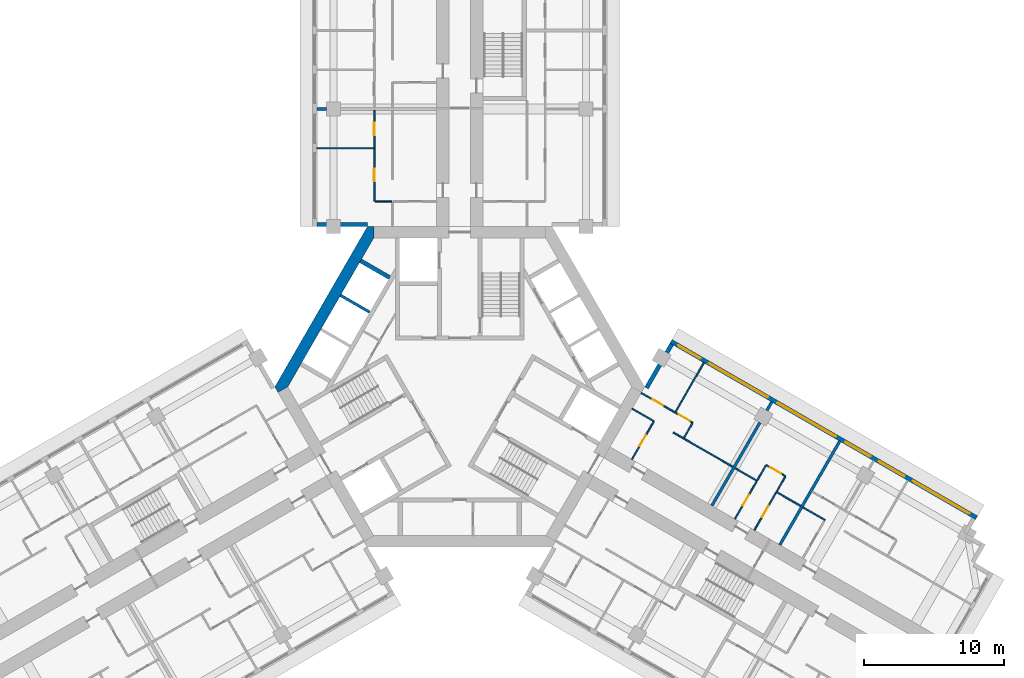
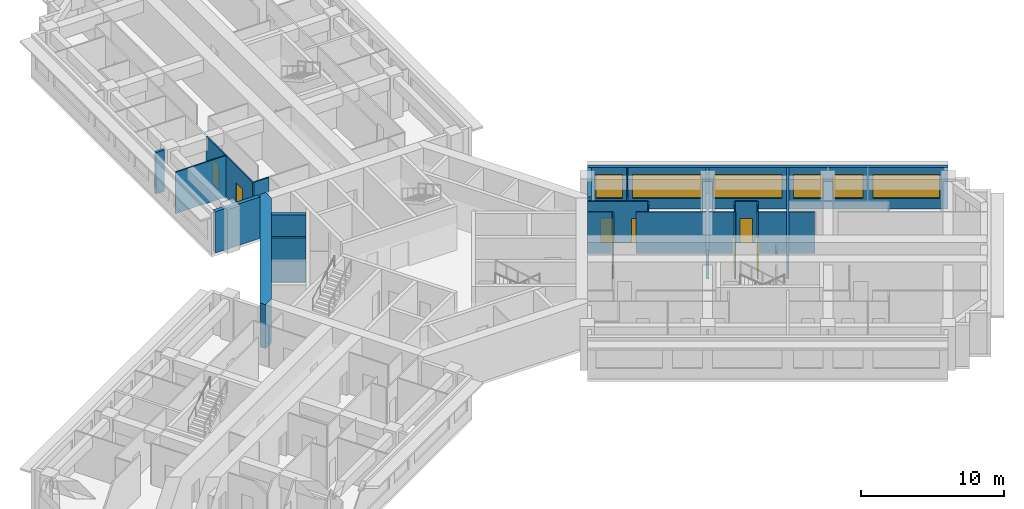
# One storey, part 7 of 12: 27 walls, 8 doors, 6 windows, 14 openings.
"""IFC4 building model written with IfcOpenShell, lengths in metres."""

import ifcopenshell
import ifcopenshell.guid

model = None  # the IFC model being written
_history = None  # IfcOwnerHistory: only IFC2X3 demands one
_inside = {}  # id of a spatial element -> (the spatial element, [elements in it])
_under = {}  # id of a project, library or spatial element -> (it, [spatial elements below it])
_declared = {}  # id of a project -> (the project, [libraries it declares])
_typed = {}  # id of a type object -> (the type object, [elements of that type])
_made_of = {}  # id of a material, layer set ... -> (it, [elements and type objects made of it])


def new_model(schema):
    """Start an empty IFC model of exactly this schema.

    Asked for "IFC4X3", IfcOpenShell would pick the latest addendum, in which some entities
    have other attributes; the version numbers below select the first issue.
    IFC2X3 requires an IfcOwnerHistory on every rooted entity: one is made here for all.
    """
    global model, _history
    if schema == "IFC4X3":
        model = ifcopenshell.file(schema_version=(4, 3, 0, 0))
    else:
        model = ifcopenshell.file(schema=schema)
    _inside.clear()
    _under.clear()
    _declared.clear()
    _typed.clear()
    _made_of.clear()
    _history = None
    if model.schema == "IFC2X3":
        org = make("IfcOrganization", Name="unknown")
        user = make(
            "IfcPersonAndOrganization",
            ThePerson=make("IfcPerson", FamilyName="unknown"),
            TheOrganization=org,
        )
        app = make(
            "IfcApplication",
            ApplicationDeveloper=org,
            Version="unknown",
            ApplicationFullName="unknown",
            ApplicationIdentifier="unknown",
        )
        _history = make(
            "IfcOwnerHistory",
            OwningUser=user,
            OwningApplication=app,
            ChangeAction="ADDED",
            CreationDate=0,
        )
    return model


def make(cls, **values):
    """One entity of the class cls with the attributes given. An attribute that is None is left unset."""
    return model.create_entity(
        cls, **{name: value for name, value in values.items() if value is not None}
    )


def rooted(cls, **values):
    """An entity with a GlobalId (a new one), such as an element, a storey or a relation."""
    return make(cls, GlobalId=ifcopenshell.guid.new(), OwnerHistory=_history, **values)


def si_unit(unit_type, name, prefix=None):
    """IfcSIUnit, for example si_unit("LENGTHUNIT", "METRE", prefix="MILLI")."""
    return make("IfcSIUnit", UnitType=unit_type, Prefix=prefix, Name=name)


def assignment(units):
    """IfcUnitAssignment: the units of a project."""
    return None if units is None else make("IfcUnitAssignment", Units=units)


def point(xyz):
    """IfcCartesianPoint."""
    return None if xyz is None else make("IfcCartesianPoint", Coordinates=xyz)


def direction(xyz):
    """IfcDirection."""
    return None if xyz is None else make("IfcDirection", DirectionRatios=xyz)


def frame(location, z_axis=None, x_axis=None):
    """IfcAxis2Placement3D, a coordinate frame: its origin and axes. An axis left out is left unset."""
    return make(
        "IfcAxis2Placement3D",
        Location=point(location),
        Axis=direction(z_axis),
        RefDirection=direction(x_axis),
    )


def frame_2d(location, x_axis=None):
    """IfcAxis2Placement2D, a coordinate frame in the plane: its origin and x axis."""
    return make(
        "IfcAxis2Placement2D", Location=point(location), RefDirection=direction(x_axis)
    )


def origin():
    """The frame at (0, 0, 0) with its axes left unset."""
    return frame((0.0, 0.0, 0.0))


def place(relative_to, where):
    """IfcLocalPlacement: puts the frame where relative to a parent placement (None: the world)."""
    return make(
        "IfcLocalPlacement", PlacementRelTo=relative_to, RelativePlacement=where
    )


def context(
    kind, dimensions, precision=None, world=None, true_north=None, identifier=None
):
    """IfcGeometricRepresentationContext, for example the 3D "Model" context."""
    return make(
        "IfcGeometricRepresentationContext",
        ContextIdentifier=identifier,
        ContextType=kind,
        CoordinateSpaceDimension=dimensions,
        Precision=precision,
        WorldCoordinateSystem=world,
        TrueNorth=true_north,
    )


def subcontext(parent, identifier, kind, view, scale=None):
    """IfcGeometricRepresentationSubContext, for example "Body" below "Model"."""
    return make(
        "IfcGeometricRepresentationSubContext",
        ContextIdentifier=identifier,
        ContextType=kind,
        ParentContext=parent,
        TargetScale=scale,
        TargetView=view,
    )


def project(units=None, contexts=None):
    """IfcProject with its units and contexts."""
    return rooted(
        "IfcProject",
        Name="project",
        RepresentationContexts=contexts,
        UnitsInContext=assignment(units),
    )


def spatial(cls, under=None, at=None, **own):
    """A site, building, storey or space (cls), placed at a placement, below another one or the project."""
    s = rooted(cls, ObjectPlacement=at, **own)
    if under is not None:
        _under.setdefault(under.id(), (under, []))[1].append(s)
    return s


def polyline(points):
    """IfcPolyline through the points."""
    return make("IfcPolyline", Points=[point(p) for p in points])


def profile(cls, at=None, kind="AREA", **sizes):
    """A parametric profile (cls). Its sizes go by their IFC names, for example OverallWidth=200.0."""
    return make(cls, ProfileType=kind, Position=at, **sizes)


def rectangle(**sizes):
    """IfcRectangleProfileDef."""
    return profile("IfcRectangleProfileDef", **sizes)


def outline(outer, holes=None, kind="AREA"):
    """IfcArbitraryClosedProfileDef: a profile drawn as a closed curve; with holes, ...WithVoids."""
    if holes is None:
        return make("IfcArbitraryClosedProfileDef", ProfileType=kind, OuterCurve=outer)
    return make(
        "IfcArbitraryProfileDefWithVoids",
        ProfileType=kind,
        OuterCurve=outer,
        InnerCurves=holes,
    )


def extrude(swept, where, along, depth):
    """IfcExtrudedAreaSolid: the profile swept, set in the frame where, extruded along a direction by depth."""
    return make(
        "IfcExtrudedAreaSolid",
        SweptArea=swept,
        Position=where,
        ExtrudedDirection=direction(along),
        Depth=depth,
    )


def shape(context_of_items, identifier, shape_type, items):
    """IfcShapeRepresentation: the items that make up one representation, for example the "Body"."""
    return make(
        "IfcShapeRepresentation",
        ContextOfItems=context_of_items,
        RepresentationIdentifier=identifier,
        RepresentationType=shape_type,
        Items=items,
    )


def material(Name=None, Category=None):
    """IfcMaterial."""
    return make("IfcMaterial", Name=Name, Category=Category)


def layer(
    of_material, thickness, ventilated=None, Name=None, Category=None, Priority=None
):
    """IfcMaterialLayer: one layer of a wall or slab, of a material (None: an air gap)."""
    return make(
        "IfcMaterialLayer",
        Material=of_material,
        LayerThickness=thickness,
        IsVentilated=ventilated,
        Name=Name,
        Category=Category,
        Priority=Priority,
    )


def layer_set(layers, Name=None):
    """IfcMaterialLayerSet."""
    return make("IfcMaterialLayerSet", MaterialLayers=layers, LayerSetName=Name)


def made_of(thing, what):
    """Note that an element or type object is made of a material, layer set ...; save() writes the relation."""
    if what is not None:
        _made_of.setdefault(what.id(), (what, []))[1].append(thing)
    return thing


def type_object(cls, material=None, **own):
    """A type object (cls), such as IfcWallType, which elements share."""
    return made_of(rooted(cls, **own), material)


def element(
    cls,
    number,
    at=None,
    inside=None,
    cuts=None,
    type_object=None,
    material=None,
    context=None,
    identifier="Body",
    shape_type=None,
    held_by="IfcProductDefinitionShape",
    body=None,
    shapes=None,
    **own,
):
    """One element of the class cls, such as IfcWall. Its Tag is "e" and its number.

    at: its placement. inside: the storey or other place that contains it. cuts: it is an
    opening in that element (IfcRelVoidsElement). A single representation is given by context,
    identifier, shape_type and body (its items); several are given by shapes. held_by: the class
    of the entity that holds the representations. save() writes the other relations.
    """
    e = rooted(cls, Tag="e%d" % number, ObjectPlacement=at, **own)
    if body is not None:
        shapes = [shape(context, identifier, shape_type, body)]
    if shapes is not None:
        e.Representation = make(held_by, Representations=shapes)
    if inside is not None:
        _inside.setdefault(inside.id(), (inside, []))[1].append(e)
    if cuts is not None:
        rooted(
            "IfcRelVoidsElement", RelatingBuildingElement=cuts, RelatedOpeningElement=e
        )
    if type_object is not None:
        _typed.setdefault(type_object.id(), (type_object, []))[1].append(e)
    return made_of(e, material)


def fill(opening, filler):
    """IfcRelFillsElement: the door or window that sits in an opening."""
    return rooted(
        "IfcRelFillsElement",
        RelatingOpeningElement=opening,
        RelatedBuildingElement=filler,
    )


def aggregate(whole, parts):
    """IfcRelAggregates: a whole, such as a stair, and the parts it consists of."""
    return rooted("IfcRelAggregates", RelatingObject=whole, RelatedObjects=parts)


def save(model, path):
    """Write the relations noted so far, then the file.

    IfcRelAggregates (storeys below a building ...), IfcRelContainedInSpatialStructure (elements
    in a storey), IfcRelDefinesByType, IfcRelAssociatesMaterial and IfcRelDeclares: one each for
    every whole, place, type object, material and project.
    """
    for whole, parts in _under.values():
        aggregate(whole, parts)
    for where, things in _inside.values():
        rooted(
            "IfcRelContainedInSpatialStructure",
            RelatedElements=things,
            RelatingStructure=where,
        )
    for kind, things in _typed.values():
        rooted("IfcRelDefinesByType", RelatedObjects=things, RelatingType=kind)
    for what, things in _made_of.values():
        rooted("IfcRelAssociatesMaterial", RelatedObjects=things, RelatingMaterial=what)
    for by, libraries in _declared.values():
        rooted("IfcRelDeclares", RelatingContext=by, RelatedDefinitions=libraries)
    model.write(path)


model = new_model("IFC4")

# Units and contexts
model_context = context("Model", 3, precision=1e-05, world=origin(), true_north=direction((0.0, 1.0)))
body_context = subcontext(model_context, "Body", "Model", "MODEL_VIEW")
ifc_project = project(units=[si_unit("LENGTHUNIT", "METRE"), si_unit("AREAUNIT", "SQUARE_METRE"), si_unit("VOLUMEUNIT", "CUBIC_METRE"), si_unit("PLANEANGLEUNIT", "RADIAN"), si_unit("MASSUNIT", "GRAM", prefix="KILO")], contexts=[model_context])

# Site, building, storey
site_placement = place(None, origin())
site = spatial("IfcSite", under=ifc_project, at=site_placement, CompositionType="ELEMENT")
building_placement = place(site_placement, origin())
building = spatial("IfcBuilding", under=site, at=building_placement, Name="Impinga Residences", CompositionType="ELEMENT")
storey_placement = place(building_placement, frame((0.0, 0.0, 169.75)))
storey = spatial("IfcBuildingStorey", under=building, at=storey_placement, Name="L42", CompositionType="ELEMENT", Elevation=169.75)

# Walls
ifc_material_1 = material(Name="Terracotta rainscreen on blockwork", Category="masonry")
ifc_layer_1 = layer(ifc_material_1, 0.300048828125)
ifc_layer_set_1 = layer_set([ifc_layer_1], Name="EW1 external wall, terracotta rainscreen on blockwork 300")
wall_type_1 = type_object("IfcWallType", Name="EW1 external wall, terracotta rainscreen on blockwork 300", PredefinedType="SOLIDWALL", material=ifc_layer_set_1)
wall_1_placement = place(storey_placement, frame((-6.60009765625, 11.58154296875, 0.0), z_axis=(0.0, 0.0, 1.0), x_axis=(-1.0, 0.0, 0.0)))
element("IfcWall", 1, at=wall_1_placement, inside=storey, type_object=wall_type_1, Name="External wall EW1 L42", PredefinedType="SOLIDWALL", context=body_context, shape_type="SweptSolid", body=[
    extrude(rectangle(XDim=3.599853515625, YDim=0.300048828125, at=frame_2d((1.7998046875, 0.0))), origin(), (0.0, 0.0, 1.0), 3.530029296875),
])
wall_2_placement = place(storey_placement, frame((13.329833984375, -0.074951171875, 0.0), z_axis=(0.0, 0.0, 1.0), x_axis=(0.500012057535, 0.866018442252, 0.0)))
element("IfcWall", 2, at=wall_2_placement, inside=storey, type_object=wall_type_1, Name="External wall EW1 L42", PredefinedType="SOLIDWALL", context=body_context, shape_type="SweptSolid", body=[
    extrude(rectangle(XDim=3.60009765625, YDim=0.300048828125, at=frame_2d((1.800048828125, 0.0))), origin(), (0.0, 0.0, 1.0), 3.530029296875),
])

# Wall, openings, windows
wall_3_placement = place(storey_placement, frame((15.074951171875, 3.24755859375, 0.0), z_axis=(0.0, 0.0, 1.0), x_axis=(0.86602925447, -0.499993330357, 0.0)))
wall_3 = element("IfcWall", 3, at=wall_3_placement, inside=storey, type_object=wall_type_1, Name="External wall EW1 L42", PredefinedType="SOLIDWALL", context=body_context, shape_type="SweptSolid", body=[
    extrude(rectangle(XDim=25.199951171875, YDim=0.300048828125, at=frame_2d((12.60009765625, 0.0))), origin(), (0.0, 0.0, 1.0), 3.530029296875),
])
opening_1_placement = place(wall_3_placement, frame((0.60009765625, 0.0, 0.89990234375)))
opening_1 = element("IfcOpeningElement", 4, at=opening_1_placement, cuts=wall_3, Name="Opening W15", PredefinedType="OPENING", context=body_context, shape_type="SweptSolid", body=[
    extrude(rectangle(XDim=1.85009765625, YDim=2.050048828125, at=frame_2d((0.925048828125, 1.02490234375))), frame((0.0, 0.159912109375, 0.0), z_axis=(0.0, -1.0, 0.0), x_axis=(1.0, 0.0, 0.0)), (0.0, 0.0, 1.0), 0.320068359375),
])
opening_2_placement = place(wall_3_placement, frame((3.14990234375, 0.0, 0.89990234375)))
opening_2 = element("IfcOpeningElement", 5, at=opening_2_placement, cuts=wall_3, Name="Opening W6", PredefinedType="OPENING", context=body_context, shape_type="SweptSolid", body=[
    extrude(rectangle(XDim=4.85009765625, YDim=2.050048828125, at=frame_2d((2.425048828125, 1.02490234375))), frame((0.0, 0.159912109375, 0.0), z_axis=(0.0, -1.0, 0.0), x_axis=(1.0, 0.0, 0.0)), (0.0, 0.0, 1.0), 0.320068359375),
])
opening_3_placement = place(wall_3_placement, frame((8.800048828125, 0.0, 0.89990234375)))
opening_3 = element("IfcOpeningElement", 6, at=opening_3_placement, cuts=wall_3, Name="Opening W8", PredefinedType="OPENING", context=body_context, shape_type="SweptSolid", body=[
    extrude(rectangle(XDim=4.800048828125, YDim=2.050048828125, at=frame_2d((2.39990234375, 1.02490234375))), frame((0.0, 0.159912109375, 0.0), z_axis=(0.0, -1.0, 0.0), x_axis=(1.0, 0.0, 0.0)), (0.0, 0.0, 1.0), 0.320068359375),
])
opening_4_placement = place(wall_3_placement, frame((14.39990234375, 0.0, 0.89990234375)))
opening_4 = element("IfcOpeningElement", 7, at=opening_4_placement, cuts=wall_3, Name="Opening W14", PredefinedType="OPENING", context=body_context, shape_type="SweptSolid", body=[
    extrude(rectangle(XDim=2.050048828125, YDim=2.050048828125, at=frame_2d((1.02490234375, 1.02490234375))), frame((0.0, 0.159912109375, 0.0), z_axis=(0.0, -1.0, 0.0), x_axis=(1.0, 0.0, 0.0)), (0.0, 0.0, 1.0), 0.320068359375),
])
opening_5_placement = place(wall_3_placement, frame((17.14990234375, 0.0, 0.89990234375)))
opening_5 = element("IfcOpeningElement", 8, at=opening_5_placement, cuts=wall_3, Name="Opening W9", PredefinedType="OPENING", context=body_context, shape_type="SweptSolid", body=[
    extrude(rectangle(XDim=2.10009765625, YDim=2.050048828125, at=frame_2d((1.050048828125, 1.02490234375))), frame((0.0, 0.159912109375, 0.0), z_axis=(0.0, -1.0, 0.0), x_axis=(1.0, 0.0, 0.0)), (0.0, 0.0, 1.0), 0.320068359375),
])
opening_6_placement = place(wall_3_placement, frame((19.949951171875, 0.0, 0.89990234375)))
opening_6 = element("IfcOpeningElement", 9, at=opening_6_placement, cuts=wall_3, Name="Opening W10", PredefinedType="OPENING", context=body_context, shape_type="SweptSolid", body=[
    extrude(rectangle(XDim=4.64990234375, YDim=2.050048828125, at=frame_2d((2.324951171875, 1.02490234375))), frame((0.0, 0.159912109375, 0.0), z_axis=(0.0, -1.0, 0.0), x_axis=(1.0, 0.0, 0.0)), (0.0, 0.0, 1.0), 0.320068359375),
])
ifc_material_2 = material(Name="Aluminium window, clear double glazing", Category="aluminium")
window_type_1 = type_object("IfcWindowType", Name="W10 ribbon window 4650x2050", PartitioningType="SINGLE_PANEL", PredefinedType="WINDOW", material=ifc_material_2)
window_1_placement = place(opening_6_placement, origin())
window_1 = element("IfcWindow", 10, at=window_1_placement, inside=storey, type_object=window_type_1, Name="Window L42", OverallHeight=2.050048828125, OverallWidth=4.64990234375, PartitioningType="SINGLE_PANEL", PredefinedType="WINDOW", context=body_context, shape_type="SweptSolid", body=[
    extrude(rectangle(XDim=4.64990234375, YDim=2.050048828125, at=frame_2d((2.324951171875, 1.02490234375))), frame((0.0, 0.030029296875, 0.0), z_axis=(0.0, -1.0, 0.0), x_axis=(1.0, 0.0, 0.0)), (0.0, 0.0, 1.0), 0.06005859375),
])
fill(opening_6, window_1)
window_type_2 = type_object("IfcWindowType", Name="W14 ribbon window 2050x2050", PartitioningType="SINGLE_PANEL", PredefinedType="WINDOW", material=ifc_material_2)
window_2_placement = place(opening_4_placement, origin())
window_2 = element("IfcWindow", 11, at=window_2_placement, inside=storey, type_object=window_type_2, Name="Window L42", OverallHeight=2.050048828125, OverallWidth=2.050048828125, PartitioningType="SINGLE_PANEL", PredefinedType="WINDOW", context=body_context, shape_type="SweptSolid", body=[
    extrude(rectangle(XDim=2.050048828125, YDim=2.050048828125, at=frame_2d((1.02490234375, 1.02490234375))), frame((0.0, 0.030029296875, 0.0), z_axis=(0.0, -1.0, 0.0), x_axis=(1.0, 0.0, 0.0)), (0.0, 0.0, 1.0), 0.06005859375),
])
fill(opening_4, window_2)
window_type_3 = type_object("IfcWindowType", Name="W15 ribbon window 1850x2050", PartitioningType="SINGLE_PANEL", PredefinedType="WINDOW", material=ifc_material_2)
window_3_placement = place(opening_1_placement, origin())
window_3 = element("IfcWindow", 12, at=window_3_placement, inside=storey, type_object=window_type_3, Name="Window L42", OverallHeight=2.050048828125, OverallWidth=1.85009765625, PartitioningType="SINGLE_PANEL", PredefinedType="WINDOW", context=body_context, shape_type="SweptSolid", body=[
    extrude(rectangle(XDim=1.85009765625, YDim=2.050048828125, at=frame_2d((0.925048828125, 1.02490234375))), frame((0.0, 0.030029296875, 0.0), z_axis=(0.0, -1.0, 0.0), x_axis=(1.0, 0.0, 0.0)), (0.0, 0.0, 1.0), 0.06005859375),
])
fill(opening_1, window_3)
window_type_4 = type_object("IfcWindowType", Name="W6 ribbon window 4850x2050", PartitioningType="SINGLE_PANEL", PredefinedType="WINDOW", material=ifc_material_2)
window_4_placement = place(opening_2_placement, origin())
window_4 = element("IfcWindow", 13, at=window_4_placement, inside=storey, type_object=window_type_4, Name="Window L42", OverallHeight=2.050048828125, OverallWidth=4.85009765625, PartitioningType="SINGLE_PANEL", PredefinedType="WINDOW", context=body_context, shape_type="SweptSolid", body=[
    extrude(rectangle(XDim=4.85009765625, YDim=2.050048828125, at=frame_2d((2.425048828125, 1.02490234375))), frame((0.0, 0.030029296875, 0.0), z_axis=(0.0, -1.0, 0.0), x_axis=(1.0, 0.0, 0.0)), (0.0, 0.0, 1.0), 0.06005859375),
])
fill(opening_2, window_4)
window_type_5 = type_object("IfcWindowType", Name="W8 ribbon window 4800x2050", PartitioningType="SINGLE_PANEL", PredefinedType="WINDOW", material=ifc_material_2)
window_5_placement = place(opening_3_placement, origin())
window_5 = element("IfcWindow", 14, at=window_5_placement, inside=storey, type_object=window_type_5, Name="Window L42", OverallHeight=2.050048828125, OverallWidth=4.800048828125, PartitioningType="SINGLE_PANEL", PredefinedType="WINDOW", context=body_context, shape_type="SweptSolid", body=[
    extrude(rectangle(XDim=4.800048828125, YDim=2.050048828125, at=frame_2d((2.39990234375, 1.02490234375))), frame((0.0, 0.030029296875, 0.0), z_axis=(0.0, -1.0, 0.0), x_axis=(1.0, 0.0, 0.0)), (0.0, 0.0, 1.0), 0.06005859375),
])
fill(opening_3, window_5)
window_type_6 = type_object("IfcWindowType", Name="W9 ribbon window 2100x2050", PartitioningType="SINGLE_PANEL", PredefinedType="WINDOW", material=ifc_material_2)
window_6_placement = place(opening_5_placement, origin())
window_6 = element("IfcWindow", 15, at=window_6_placement, inside=storey, type_object=window_type_6, Name="Window L42", OverallHeight=2.050048828125, OverallWidth=2.10009765625, PartitioningType="SINGLE_PANEL", PredefinedType="WINDOW", context=body_context, shape_type="SweptSolid", body=[
    extrude(rectangle(XDim=2.10009765625, YDim=2.050048828125, at=frame_2d((1.050048828125, 1.02490234375))), frame((0.0, 0.030029296875, 0.0), z_axis=(0.0, -1.0, 0.0), x_axis=(1.0, 0.0, 0.0)), (0.0, 0.0, 1.0), 0.06005859375),
])
fill(opening_5, window_6)

# Wall, openings, doors
ifc_material_3 = material(Name="Gypsum board on steel studs", Category="steel")
ifc_layer_2 = layer(ifc_material_3, 0.10009765625)
ifc_layer_set_2 = layer_set([ifc_layer_2], Name="Gypsum board on steel studs")
wall_type_2 = type_object("IfcWallType", Name="IP1 partition 100", PredefinedType="PARTITIONING", material=ifc_layer_set_2)
wall_4_placement = place(storey_placement, frame((-6.10009765625, 13.2314453125, 0.0), z_axis=(0.0, 0.0, 1.0), x_axis=(0.0, 1.0, 0.0)))
wall_4 = element("IfcWall", 16, at=wall_4_placement, inside=storey, type_object=wall_type_2, Name="Partition L42-NA1:STRIP", PredefinedType="PARTITIONING", context=body_context, shape_type="SweptSolid", body=[
    extrude(rectangle(XDim=6.5, YDim=0.10009765625, at=frame_2d((3.25, 0.0))), origin(), (0.0, 0.0, 1.0), 3.530029296875),
])
opening_7_placement = place(wall_4_placement, frame((1.425048828125, 0.0, 0.0)))
opening_7 = element("IfcOpeningElement", 17, at=opening_7_placement, cuts=wall_4, Name="Opening D2", PredefinedType="OPENING", context=body_context, shape_type="SweptSolid", body=[
    extrude(rectangle(XDim=0.89990234375, YDim=2.10009765625, at=frame_2d((0.449951171875, 1.050048828125))), frame((0.0, 0.06005859375, 0.0), z_axis=(0.0, -1.0, 0.0), x_axis=(1.0, 0.0, 0.0)), (0.0, 0.0, 1.0), 0.1201171875),
])
opening_8_placement = place(wall_4_placement, frame((4.72509765625, 0.0, 0.0)))
opening_8 = element("IfcOpeningElement", 18, at=opening_8_placement, cuts=wall_4, Name="Opening D2", PredefinedType="OPENING", context=body_context, shape_type="SweptSolid", body=[
    extrude(rectangle(XDim=0.89990234375, YDim=2.10009765625, at=frame_2d((0.449951171875, 1.050048828125))), frame((0.0, 0.06005859375, 0.0), z_axis=(0.0, -1.0, 0.0), x_axis=(1.0, 0.0, 0.0)), (0.0, 0.0, 1.0), 0.1201171875),
])
ifc_material_4 = material(Name="Timber door set", Category="wood")
door_type = type_object("IfcDoorType", Name="D2 internal door 900x2100", OperationType="SINGLE_SWING_LEFT", PredefinedType="DOOR", material=ifc_material_4)
door_1_placement = place(opening_7_placement, origin())
door_1 = element("IfcDoor", 19, at=door_1_placement, inside=storey, type_object=door_type, Name="Apartment L42-NA1 room door", OperationType="SINGLE_SWING_LEFT", OverallHeight=2.10009765625, OverallWidth=0.89990234375, PredefinedType="DOOR", context=body_context, shape_type="SweptSolid", body=[
    extrude(rectangle(XDim=0.89990234375, YDim=2.10009765625, at=frame_2d((0.449951171875, 1.050048828125))), frame((0.0, 0.02490234375, 0.0), z_axis=(0.0, -1.0, 0.0), x_axis=(1.0, 0.0, 0.0)), (0.0, 0.0, 1.0), 0.050048828125),
])
fill(opening_7, door_1)
door_2_placement = place(opening_8_placement, origin())
door_2 = element("IfcDoor", 20, at=door_2_placement, inside=storey, type_object=door_type, Name="Apartment L42-NA1 room door", OperationType="SINGLE_SWING_RIGHT", OverallHeight=2.10009765625, OverallWidth=0.89990234375, PredefinedType="DOOR", context=body_context, shape_type="SweptSolid", body=[
    extrude(rectangle(XDim=0.89990234375, YDim=2.10009765625, at=frame_2d((0.449951171875, 1.050048828125))), frame((0.0, 0.02490234375, 0.0), z_axis=(0.0, -1.0, 0.0), x_axis=(1.0, 0.0, 0.0)), (0.0, 0.0, 1.0), 0.050048828125),
])
fill(opening_8, door_2)

# Walls
wall_5_placement = place(storey_placement, frame((-4.85009765625, 13.2314453125, 0.0), z_axis=(0.0, 0.0, 1.0), x_axis=(-1.0, 0.0, 0.0)))
element("IfcWall", 21, at=wall_5_placement, inside=storey, type_object=wall_type_2, Name="Partition L42-NA1:SE0", PredefinedType="PARTITIONING", context=body_context, shape_type="SweptSolid", body=[
    extrude(rectangle(XDim=1.199951171875, YDim=0.10009765625, at=frame_2d((0.60009765625, 0.0))), origin(), (0.0, 0.0, 1.0), 3.530029296875),
])
wall_6_placement = place(storey_placement, frame((-6.14990234375, 17.031494140625, 0.0), z_axis=(0.0, 0.0, 1.0), x_axis=(-1.0, 0.0, 0.0)))
element("IfcWall", 22, at=wall_6_placement, inside=storey, type_object=wall_type_2, Name="Partition L42-NA1:OB1", PredefinedType="PARTITIONING", context=body_context, shape_type="SweptSolid", body=[
    extrude(rectangle(XDim=4.050048828125, YDim=0.10009765625, at=frame_2d((2.02490234375, 0.0))), origin(), (0.0, 0.0, 1.0), 3.530029296875),
])
wall_7_placement = place(storey_placement, frame((12.300048828125, -1.558837890625, 0.0), z_axis=(0.0, 0.0, 1.0), x_axis=(0.866047807691, -0.499961193289, 0.0)))
element("IfcWall", 23, at=wall_7_placement, inside=storey, type_object=wall_type_2, Name="Partition L42-EA1:DIV0", PredefinedType="PARTITIONING", context=body_context, shape_type="SweptSolid", body=[
    extrude(rectangle(XDim=1.800048828125, YDim=0.10009765625, at=frame_2d((0.89990234375, 0.0))), origin(), (0.0, 0.0, 1.0), 3.530029296875),
])
wall_8_placement = place(storey_placement, frame((15.244384765625, -3.2587890625, 0.0), z_axis=(0.0, 0.0, 1.0), x_axis=(0.866036242063, -0.49998122708, 0.0)))
element("IfcWall", 24, at=wall_8_placement, inside=storey, type_object=wall_type_2, Name="Partition L42-EA1:DIV1", PredefinedType="PARTITIONING", context=body_context, shape_type="SweptSolid", body=[
    extrude(rectangle(XDim=4.900146484375, YDim=0.10009765625, at=frame_2d((2.4501953125, 0.0))), origin(), (0.0, 0.0, 1.0), 3.530029296875),
])

# Wall, openings, doors
wall_9_placement = place(storey_placement, frame((12.949951171875, -0.43310546875, 0.0), z_axis=(0.0, 0.0, 1.0), x_axis=(0.866028703517, -0.499994284652, 0.0)))
wall_9 = element("IfcWall", 25, at=wall_9_placement, inside=storey, type_object=wall_type_2, Name="Partition L42-EA1:STRIP", PredefinedType="PARTITIONING", context=body_context, shape_type="SweptSolid", body=[
    extrude(rectangle(XDim=4.25, YDim=0.10009765625, at=frame_2d((2.125, 0.0))), origin(), (0.0, 0.0, 1.0), 3.530029296875),
])
opening_9_placement = place(wall_9_placement, frame((0.925048828125, 0.0, 0.0)))
opening_9 = element("IfcOpeningElement", 26, at=opening_9_placement, cuts=wall_9, Name="Opening D2", PredefinedType="OPENING", context=body_context, shape_type="SweptSolid", body=[
    extrude(rectangle(XDim=0.89990234375, YDim=2.10009765625, at=frame_2d((0.449951171875, 1.050048828125))), frame((0.0, 0.06005859375, 0.0), z_axis=(0.0, -1.0, 0.0), x_axis=(1.0, 0.0, 0.0)), (0.0, 0.0, 1.0), 0.1201171875),
])
opening_10_placement = place(wall_9_placement, frame((3.10009765625, 0.0, 0.0)))
opening_10 = element("IfcOpeningElement", 27, at=opening_10_placement, cuts=wall_9, Name="Opening D2", PredefinedType="OPENING", context=body_context, shape_type="SweptSolid", body=[
    extrude(rectangle(XDim=0.89990234375, YDim=2.10009765625, at=frame_2d((0.449951171875, 1.050048828125))), frame((0.0, 0.06005859375, 0.0), z_axis=(0.0, -1.0, 0.0), x_axis=(1.0, 0.0, 0.0)), (0.0, 0.0, 1.0), 0.1201171875),
])
door_3_placement = place(opening_9_placement, origin())
door_3 = element("IfcDoor", 28, at=door_3_placement, inside=storey, type_object=door_type, Name="Apartment L42-EA1 room door", OperationType="SINGLE_SWING_LEFT", OverallHeight=2.10009765625, OverallWidth=0.89990234375, PredefinedType="DOOR", context=body_context, shape_type="SweptSolid", body=[
    extrude(rectangle(XDim=0.89990234375, YDim=2.10009765625, at=frame_2d((0.449951171875, 1.050048828125))), frame((0.0, 0.02490234375, 0.0), z_axis=(0.0, -1.0, 0.0), x_axis=(1.0, 0.0, 0.0)), (0.0, 0.0, 1.0), 0.050048828125),
])
fill(opening_9, door_3)
door_4_placement = place(opening_10_placement, origin())
door_4 = element("IfcDoor", 29, at=door_4_placement, inside=storey, type_object=door_type, Name="Apartment L42-EA1 room door", OperationType="SINGLE_SWING_RIGHT", OverallHeight=2.10009765625, OverallWidth=0.89990234375, PredefinedType="DOOR", context=body_context, shape_type="SweptSolid", body=[
    extrude(rectangle(XDim=0.89990234375, YDim=2.10009765625, at=frame_2d((0.449951171875, 1.050048828125))), frame((0.0, 0.02490234375, 0.0), z_axis=(0.0, -1.0, 0.0), x_axis=(1.0, 0.0, 0.0)), (0.0, 0.0, 1.0), 0.050048828125),
])
fill(opening_10, door_4)

# Wall
wall_10_placement = place(storey_placement, frame((16.005615234375, -3.640625, 0.0), z_axis=(0.0, 0.0, 1.0), x_axis=(0.500033551112, 0.866006032174, 0.0)))
element("IfcWall", 30, at=wall_10_placement, inside=storey, type_object=wall_type_2, Name="Partition L42-EA1:SE1", PredefinedType="PARTITIONING", context=body_context, shape_type="SweptSolid", body=[
    extrude(rectangle(XDim=1.2001953125, YDim=0.10009765625, at=frame_2d((0.60009765625, 0.0))), origin(), (0.0, 0.0, 1.0), 3.530029296875),
])

# Wall, opening, door
wall_11_placement = place(storey_placement, frame((12.283935546875, -5.186767578125, 0.0), z_axis=(0.0, 0.0, 1.0), x_axis=(0.499967891604, 0.866043940782, 0.0)))
wall_11 = element("IfcWall", 31, at=wall_11_placement, inside=storey, type_object=wall_type_2, Name="Partition L42-EA1:IB1", PredefinedType="PARTITIONING", context=body_context, shape_type="SweptSolid", body=[
    extrude(rectangle(XDim=3.099853515625, YDim=0.10009765625, at=frame_2d((1.5498046875, 0.0))), origin(), (0.0, 0.0, 1.0), 3.530029296875),
])
opening_11_placement = place(wall_11_placement, frame((1.10009765625, 0.0, 0.0)))
opening_11 = element("IfcOpeningElement", 32, at=opening_11_placement, cuts=wall_11, Name="Opening D2", PredefinedType="OPENING", context=body_context, shape_type="SweptSolid", body=[
    extrude(rectangle(XDim=0.89990234375, YDim=2.10009765625, at=frame_2d((0.449951171875, 1.050048828125))), frame((0.0, 0.06005859375, 0.0), z_axis=(0.0, -1.0, 0.0), x_axis=(1.0, 0.0, 0.0)), (0.0, 0.0, 1.0), 0.1201171875),
])
door_5_placement = place(opening_11_placement, origin())
door_5 = element("IfcDoor", 33, at=door_5_placement, inside=storey, type_object=door_type, Name="Apartment L42-EA1 bathroom door", OperationType="SINGLE_SWING_LEFT", OverallHeight=2.10009765625, OverallWidth=0.89990234375, PredefinedType="DOOR", context=body_context, shape_type="SweptSolid", body=[
    extrude(rectangle(XDim=0.89990234375, YDim=2.10009765625, at=frame_2d((0.449951171875, 1.050048828125))), frame((0.0, 0.02490234375, 0.0), z_axis=(0.0, -1.0, 0.0), x_axis=(1.0, 0.0, 0.0)), (0.0, 0.0, 1.0), 0.050048828125),
])
fill(opening_11, door_5)

# Walls
wall_12_placement = place(storey_placement, frame((15.39990234375, -1.789794921875, 0.0), z_axis=(0.0, 0.0, 1.0), x_axis=(0.499964223975, 0.866046058097, 0.0)))
element("IfcWall", 34, at=wall_12_placement, inside=storey, type_object=wall_type_2, Name="Partition L42-EA1:OB1", PredefinedType="PARTITIONING", context=body_context, shape_type="SweptSolid", body=[
    extrude(rectangle(XDim=4.050048828125, YDim=0.10009765625, at=frame_2d((2.02490234375, 0.0))), origin(), (0.0, 0.0, 1.0), 3.530029296875),
])
wall_13_placement = place(storey_placement, frame((19.6611328125, -5.808837890625, 0.0), z_axis=(0.0, 0.0, 1.0), x_axis=(0.866047807691, -0.499961193289, 0.0)))
element("IfcWall", 35, at=wall_13_placement, inside=storey, type_object=wall_type_2, Name="Partition L42-EA2:DIV0", PredefinedType="PARTITIONING", context=body_context, shape_type="SweptSolid", body=[
    extrude(rectangle(XDim=1.800048828125, YDim=0.10009765625, at=frame_2d((0.89990234375, 0.0))), origin(), (0.0, 0.0, 1.0), 3.530029296875),
])
wall_14_placement = place(storey_placement, frame((22.605712890625, -7.5087890625, 0.0), z_axis=(0.0, 0.0, 1.0), x_axis=(0.866010750942, -0.50002537861, 0.0)))
element("IfcWall", 36, at=wall_14_placement, inside=storey, type_object=wall_type_2, Name="Partition L42-EA2:DIV1", PredefinedType="PARTITIONING", context=body_context, shape_type="SweptSolid", body=[
    extrude(rectangle(XDim=2.0, YDim=0.10009765625, at=frame_2d((1.0, 0.0))), origin(), (0.0, 0.0, 1.0), 3.530029296875),
])

# Wall, opening, door
wall_15_placement = place(storey_placement, frame((21.8701171875, -5.5830078125, 0.0), z_axis=(0.0, 0.0, 1.0), x_axis=(0.865989903783, -0.500061482766, 0.0)))
wall_15 = element("IfcWall", 37, at=wall_15_placement, inside=storey, type_object=wall_type_2, Name="Partition L42-EA2:STRIP", PredefinedType="PARTITIONING", context=body_context, shape_type="SweptSolid", body=[
    extrude(rectangle(XDim=1.599853515625, YDim=0.10009765625, at=frame_2d((0.7998046875, 0.0))), origin(), (0.0, 0.0, 1.0), 3.530029296875),
])
opening_12_placement = place(wall_15_placement, frame((0.35009765625, 0.0, 0.0)))
opening_12 = element("IfcOpeningElement", 38, at=opening_12_placement, cuts=wall_15, Name="Opening D2", PredefinedType="OPENING", context=body_context, shape_type="SweptSolid", body=[
    extrude(rectangle(XDim=0.89990234375, YDim=2.10009765625, at=frame_2d((0.449951171875, 1.050048828125))), frame((0.0, 0.06005859375, 0.0), z_axis=(0.0, -1.0, 0.0), x_axis=(1.0, 0.0, 0.0)), (0.0, 0.0, 1.0), 0.1201171875),
])
door_6_placement = place(opening_12_placement, origin())
door_6 = element("IfcDoor", 39, at=door_6_placement, inside=storey, type_object=door_type, Name="Apartment L42-EA2 room door", OperationType="SINGLE_SWING_LEFT", OverallHeight=2.10009765625, OverallWidth=0.89990234375, PredefinedType="DOOR", context=body_context, shape_type="SweptSolid", body=[
    extrude(rectangle(XDim=0.89990234375, YDim=2.10009765625, at=frame_2d((0.449951171875, 1.050048828125))), frame((0.0, 0.02490234375, 0.0), z_axis=(0.0, -1.0, 0.0), x_axis=(1.0, 0.0, 0.0)), (0.0, 0.0, 1.0), 0.050048828125),
])
fill(opening_12, door_6)

# Walls
wall_16_placement = place(storey_placement, frame((21.2451171875, -6.66552734375, 0.0), z_axis=(0.0, 0.0, 1.0), x_axis=(0.499880961361, 0.866094119867, 0.0)))
element("IfcWall", 40, at=wall_16_placement, inside=storey, type_object=wall_type_2, Name="Partition L42-EA2:SE0", PredefinedType="PARTITIONING", context=body_context, shape_type="SweptSolid", body=[
    extrude(rectangle(XDim=1.199951171875, YDim=0.10009765625, at=frame_2d((0.60009765625, 0.0))), origin(), (0.0, 0.0, 1.0), 3.530029296875),
])
wall_17_placement = place(storey_placement, frame((22.630615234375, -7.465576171875, 0.0), z_axis=(0.0, 0.0, 1.0), x_axis=(0.500033551112, 0.866006032174, 0.0)))
element("IfcWall", 41, at=wall_17_placement, inside=storey, type_object=wall_type_2, Name="Partition L42-EA2:SE1", PredefinedType="PARTITIONING", context=body_context, shape_type="SweptSolid", body=[
    extrude(rectangle(XDim=1.2001953125, YDim=0.10009765625, at=frame_2d((0.60009765625, 0.0))), origin(), (0.0, 0.0, 1.0), 3.530029296875),
])

# Wall, opening, door
wall_18_placement = place(storey_placement, frame((19.64501953125, -9.436767578125, 0.0), z_axis=(0.0, 0.0, 1.0), x_axis=(0.500026960575, 0.86600983753, 0.0)))
wall_18 = element("IfcWall", 42, at=wall_18_placement, inside=storey, type_object=wall_type_2, Name="Partition L42-EA2:IB1", PredefinedType="PARTITIONING", context=body_context, shape_type="SweptSolid", body=[
    extrude(rectangle(XDim=3.099853515625, YDim=0.10009765625, at=frame_2d((1.5498046875, 0.0))), origin(), (0.0, 0.0, 1.0), 3.530029296875),
])
opening_13_placement = place(wall_18_placement, frame((1.10009765625, 0.0, 0.0)))
opening_13 = element("IfcOpeningElement", 43, at=opening_13_placement, cuts=wall_18, Name="Opening D2", PredefinedType="OPENING", context=body_context, shape_type="SweptSolid", body=[
    extrude(rectangle(XDim=0.89990234375, YDim=2.10009765625, at=frame_2d((0.449951171875, 1.050048828125))), frame((0.0, 0.06005859375, 0.0), z_axis=(0.0, -1.0, 0.0), x_axis=(1.0, 0.0, 0.0)), (0.0, 0.0, 1.0), 0.1201171875),
])
door_7_placement = place(opening_13_placement, origin())
door_7 = element("IfcDoor", 44, at=door_7_placement, inside=storey, type_object=door_type, Name="Apartment L42-EA2 bathroom door", OperationType="SINGLE_SWING_LEFT", OverallHeight=2.10009765625, OverallWidth=0.89990234375, PredefinedType="DOOR", context=body_context, shape_type="SweptSolid", body=[
    extrude(rectangle(XDim=0.89990234375, YDim=2.10009765625, at=frame_2d((0.449951171875, 1.050048828125))), frame((0.0, 0.02490234375, 0.0), z_axis=(0.0, -1.0, 0.0), x_axis=(1.0, 0.0, 0.0)), (0.0, 0.0, 1.0), 0.050048828125),
])
fill(opening_13, door_7)

wall_19_placement = place(storey_placement, frame((21.03076171875, -10.23681640625, 0.0), z_axis=(0.0, 0.0, 1.0), x_axis=(0.500026960575, 0.86600983753, 0.0)))
wall_19 = element("IfcWall", 45, at=wall_19_placement, inside=storey, type_object=wall_type_2, Name="Partition L42-EA2:IB2", PredefinedType="PARTITIONING", context=body_context, shape_type="SweptSolid", body=[
    extrude(rectangle(XDim=3.099853515625, YDim=0.10009765625, at=frame_2d((1.5498046875, 0.0))), origin(), (0.0, 0.0, 1.0), 3.530029296875),
])
opening_14_placement = place(wall_19_placement, frame((1.10009765625, 0.0, 0.0)))
opening_14 = element("IfcOpeningElement", 46, at=opening_14_placement, cuts=wall_19, Name="Opening D2", PredefinedType="OPENING", context=body_context, shape_type="SweptSolid", body=[
    extrude(rectangle(XDim=0.89990234375, YDim=2.10009765625, at=frame_2d((0.449951171875, 1.050048828125))), frame((0.0, 0.06005859375, 0.0), z_axis=(0.0, -1.0, 0.0), x_axis=(1.0, 0.0, 0.0)), (0.0, 0.0, 1.0), 0.1201171875),
])
door_8_placement = place(opening_14_placement, origin())
door_8 = element("IfcDoor", 47, at=door_8_placement, inside=storey, type_object=door_type, Name="Apartment L42-EA2 WC door", OperationType="SINGLE_SWING_LEFT", OverallHeight=2.10009765625, OverallWidth=0.89990234375, PredefinedType="DOOR", context=body_context, shape_type="SweptSolid", body=[
    extrude(rectangle(XDim=0.89990234375, YDim=2.10009765625, at=frame_2d((0.449951171875, 1.050048828125))), frame((0.0, 0.02490234375, 0.0), z_axis=(0.0, -1.0, 0.0), x_axis=(1.0, 0.0, 0.0)), (0.0, 0.0, 1.0), 0.050048828125),
])
fill(opening_14, door_8)

# Walls
wall_20_placement = place(storey_placement, frame((24.510986328125, -8.60888671875, 0.0), z_axis=(0.0, 0.0, 1.0), x_axis=(0.866047807691, -0.499961193289, 0.0)))
element("IfcWall", 48, at=wall_20_placement, inside=storey, type_object=wall_type_2, Name="Partition L42-EA3:DIV0", PredefinedType="PARTITIONING", context=body_context, shape_type="SweptSolid", body=[
    extrude(rectangle(XDim=1.800048828125, YDim=0.10009765625, at=frame_2d((0.89990234375, 0.0))), origin(), (0.0, 0.0, 1.0), 3.530029296875),
])
ifc_material_5 = material(Name="Concrete blockwork", Category="masonry")
ifc_layer_3 = layer(ifc_material_5, 0.199951171875)
ifc_layer_set_3 = layer_set([ifc_layer_3], Name="PW1 party wall between apartments 200")
wall_type_3 = type_object("IfcWallType", Name="PW1 party wall between apartments 200", PredefinedType="SOLIDWALL", material=ifc_layer_set_3)
wall_21_placement = place(storey_placement, frame((-9.5, 19.83154296875, 0.0), z_axis=(0.0, 0.0, 1.0), x_axis=(-1.0, 0.0, 0.0)))
element("IfcWall", 49, at=wall_21_placement, inside=storey, type_object=wall_type_3, Name="Party wall between apartments L42-NA1:PARTYb", PredefinedType="SOLIDWALL", context=body_context, shape_type="SweptSolid", body=[
    extrude(rectangle(XDim=0.699951171875, YDim=0.199951171875, at=frame_2d((0.35009765625, 0.0))), origin(), (0.0, 0.0, 1.0), 3.530029296875),
])
wall_22_placement = place(storey_placement, frame((17.99951171875, -8.48681640625, 0.0), z_axis=(0.0, 0.0, 1.0), x_axis=(0.499999086063, 0.866025931445, 0.0)))
element("IfcWall", 50, at=wall_22_placement, inside=storey, type_object=wall_type_3, Name="Party wall between apartments L42-EA1:PARTY", PredefinedType="SOLIDWALL", context=body_context, shape_type="SweptSolid", body=[
    extrude(rectangle(XDim=6.85009765625, YDim=0.199951171875, at=frame_2d((3.425048828125, 0.0))), origin(), (0.0, 0.0, 1.0), 2.47998046875),
])
wall_23_placement = place(storey_placement, frame((21.924560546875, -1.6884765625, 0.0), z_axis=(0.0, 0.0, 1.0), x_axis=(0.500114896893, 0.865959057869, 0.0)))
element("IfcWall", 51, at=wall_23_placement, inside=storey, type_object=wall_type_3, Name="Party wall between apartments L42-EA1:PARTYb", PredefinedType="SOLIDWALL", context=body_context, shape_type="SweptSolid", body=[
    extrude(rectangle(XDim=0.699951171875, YDim=0.199951171875, at=frame_2d((0.35009765625, 0.0))), origin(), (0.0, 0.0, 1.0), 3.530029296875),
])
wall_24_placement = place(storey_placement, frame((22.849365234375, -11.286865234375, 0.0), z_axis=(0.0, 0.0, 1.0), x_axis=(0.499990227581, 0.86603104582, 0.0)))
element("IfcWall", 52, at=wall_24_placement, inside=storey, type_object=wall_type_3, Name="Party wall between apartments L42-EA2:PARTY", PredefinedType="SOLIDWALL", context=body_context, shape_type="SweptSolid", body=[
    extrude(rectangle(XDim=8.550048828125, YDim=0.199951171875, at=frame_2d((4.27490234375, 0.0))), origin(), (0.0, 0.0, 1.0), 3.530029296875),
])
ifc_material_6 = material(Name="Concrete C60/75", Category="concrete")
ifc_layer_4 = layer(ifc_material_6, 0.800048828125)
ifc_layer_set_4 = layer_set([ifc_layer_4], Name="Concrete C60/75")
wall_type_4 = type_object("IfcWallType", Name="SW2 core wall 800", PredefinedType="SHEAR", material=ifc_layer_set_4)
wall_25_placement = place(storey_placement, origin())
element("IfcWall", 53, at=wall_25_placement, inside=storey, type_object=wall_type_4, Name="Core wall SW2 E:EXPOSED L42", PredefinedType="SHEAR", context=body_context, shape_type="SweptSolid", body=[
    extrude(outline(polyline([(-6.60009765625, 11.431640625), (-13.199951171875, 0.0), (-12.968994140625, -0.39990234375), (-12.276123046875, 0.0), (-6.13818359375, 10.631591796875), (-6.13818359375, 11.431640625), (-6.60009765625, 11.431640625)])), origin(), (0.0, 0.0, 1.0), 3.75),
])
ifc_material_7 = material(Name="Concrete C70/85", Category="concrete")
ifc_layer_5 = layer(ifc_material_7, 0.300048828125)
ifc_layer_set_5 = layer_set([ifc_layer_5], Name="Concrete C70/85")
wall_type_5 = type_object("IfcWallType", Name="SW5 core inner wall, stairs, shafts and lobbies 300", PredefinedType="SHEAR", material=ifc_layer_set_5)
wall_26_placement = place(storey_placement, frame((-5.003662109375, 7.79638671875, 0.0), z_axis=(0.0, 0.0, 1.0), x_axis=(-0.866050077142, 0.499957262057, 0.0)))
element("IfcWall", 54, at=wall_26_placement, inside=storey, type_object=wall_type_5, Name="Core wall SW5 E:BANK-R L42", PredefinedType="SHEAR", context=body_context, shape_type="SweptSolid", body=[
    extrude(rectangle(XDim=2.400146484375, YDim=0.300048828125, at=frame_2d((1.2001953125, 0.0))), origin(), (0.0, 0.0, 1.0), 3.75),
])
ifc_layer_6 = layer(ifc_material_7, 0.199951171875)
ifc_layer_set_6 = layer_set([ifc_layer_6], Name="Concrete C70/85")
wall_type_6 = type_object("IfcWallType", Name="SW6 lift shaft divider wall 200", PredefinedType="SHEAR", material=ifc_layer_set_6)
wall_27_placement = place(storey_placement, frame((-6.4287109375, 5.328125, 0.0), z_axis=(0.0, 0.0, 1.0), x_axis=(-0.865980596518, 0.500077600433, 0.0)))
element("IfcWall", 55, at=wall_27_placement, inside=storey, type_object=wall_type_6, Name="Core wall SW6 E:BANK-D2 L42", PredefinedType="SHEAR", context=body_context, shape_type="SweptSolid", body=[
    extrude(rectangle(XDim=2.39990234375, YDim=0.199951171875, at=frame_2d((1.199951171875, 0.0))), origin(), (0.0, 0.0, 1.0), 3.75),
])

save(model, "model.ifc")
